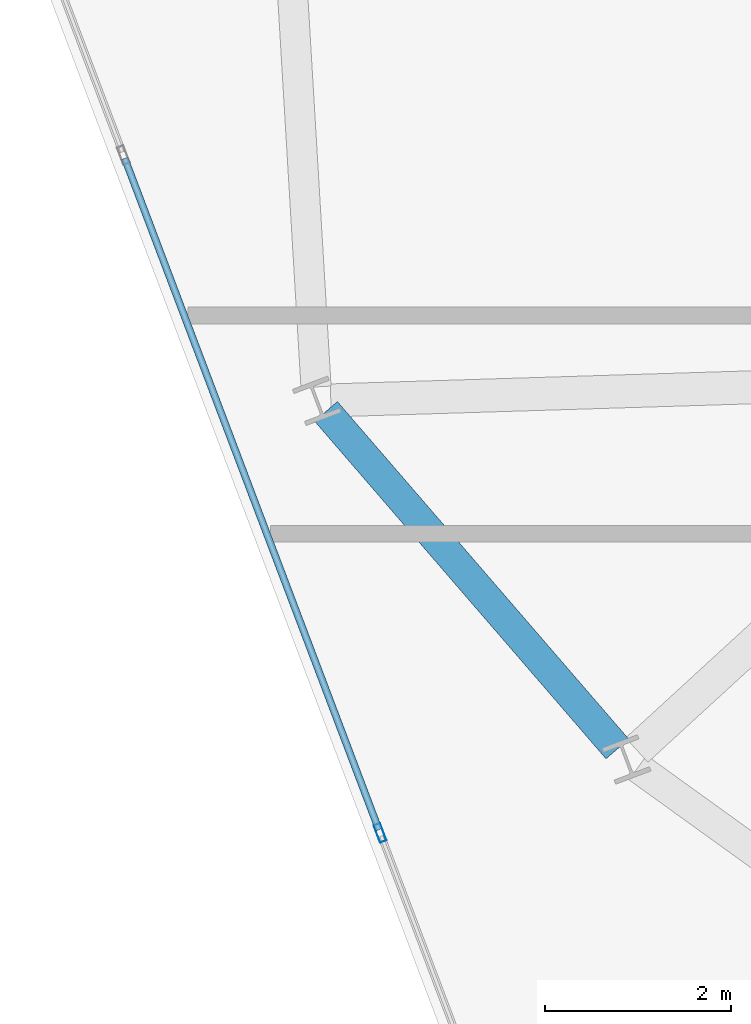
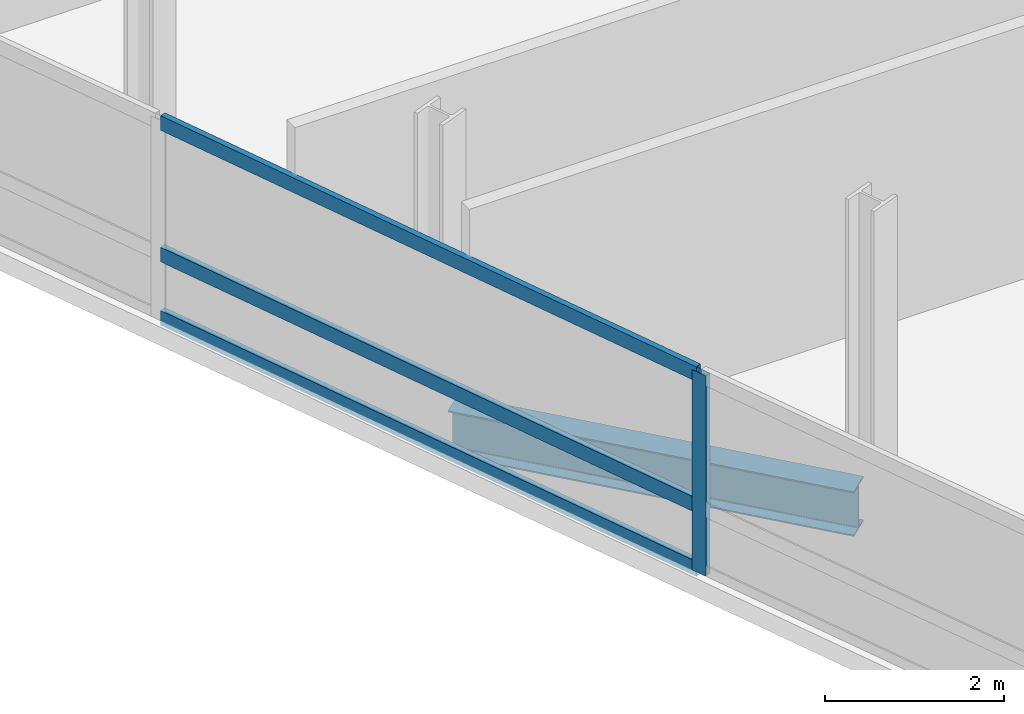
# One storey, part 5 of 20: 4 members, 1 beam, 1 element without a shape of its own.
"""IFC4 building model written with IfcOpenShell, lengths in metres."""

from ifc_helpers import new_model, si_unit, direction, frame, origin, origin_2d, place, context, subcontext, project, spatial, hollow_rectangle, i_section, extrude, material, layer, layer_set, material_profile, profile_set, type_object, element, aggregate, save


model = new_model("IFC4")

# Units and contexts
model_context = context("Model", 3, precision=1e-05, world=origin(), true_north=direction((0.0, 1.0)))
body_context = subcontext(model_context, "Body", "Model", "MODEL_VIEW")
ifc_project = project(units=[si_unit("LENGTHUNIT", "METRE"), si_unit("AREAUNIT", "SQUARE_METRE"), si_unit("VOLUMEUNIT", "CUBIC_METRE"), si_unit("PLANEANGLEUNIT", "RADIAN"), si_unit("MASSUNIT", "GRAM", prefix="KILO")], contexts=[model_context])

# Site, building, storey
site_placement = place(None, origin())
site = spatial("IfcSite", under=ifc_project, at=site_placement, CompositionType="ELEMENT")
building_placement = place(site_placement, origin())
building = spatial("IfcBuilding", under=site, at=building_placement, Name="Varnelok Gate Tower", CompositionType="ELEMENT")
storey_placement = place(building_placement, frame((0.0, 0.0, 216.39990234375)))
storey = spatial("IfcBuildingStorey", under=building, at=storey_placement, Name="L55", CompositionType="ELEMENT", Elevation=216.39990234375)

# Beam
ifc_material_1 = material(Name="Structural Steel ASTM A992 Grade 50", Category="steel")
ifc_material_profile_1 = material_profile(ifc_material_1, i_section(OverallWidth=0.323974609375, OverallDepth=0.611083984375, WebThickness=0.0126953125, FlangeThickness=0.01904296875, FilletRadius=0.01806640625, at=origin_2d()), Name="W24X104")
ifc_profile_set_1 = profile_set([ifc_material_profile_1], Name="Structural Steel ASTM A992 Grade 50")
beam_type = type_object("IfcBeamType", Name="BM-SPN-W24X104", PredefinedType="SPANDREL", material=ifc_profile_set_1)
beam_placement = place(storey_placement, frame((7.79248046875, 18.1669921875, -0.555419921875), z_axis=(0.653484787698, -0.756939649013, 0.0), x_axis=(0.756939649013, 0.653484787698, 0.0)))
element("IfcBeam", 1, at=beam_placement, inside=storey, type_object=beam_type, Name="L55 Perimeter Spandrel Beam 15", PredefinedType="SPANDREL", context=body_context, shape_type="SweptSolid", body=[
    extrude(i_section(OverallWidth=0.323974609375, OverallDepth=0.611083984375, WebThickness=0.0126953125, FlangeThickness=0.01904296875, FilletRadius=0.01806640625, at=origin_2d()), origin(), (0.0, 0.0, 1.0), 4.800048828125),
])

# Curtain wall, members
ifc_material_2 = material(Name="Anodized Aluminum Alloy 6063-T6", Category="aluminium")
ifc_layer = layer(ifc_material_2, 0.179931640625)
ifc_layer_set = layer_set([ifc_layer], Name="Anodized Aluminum Alloy 6063-T6")
curtain_wall_type = type_object("IfcCurtainWallType", Name="CW4-RESIDENCE-VISION", PredefinedType="USERDEFINED", material=ifc_layer_set)
curtain_wall_placement = place(storey_placement, origin())
curtain_wall = element("IfcCurtainWall", 2, at=curtain_wall_placement, inside=storey, type_object=curtain_wall_type, Name="L55 West End Vision Curtain Wall", ObjectType="UNITISED CURTAIN WALL", PredefinedType="USERDEFINED")
ifc_material_profile_2 = material_profile(ifc_material_2, hollow_rectangle(XDim=0.074951171875, YDim=0.199951171875, WallThickness=0.00390625, at=origin_2d()), Name="ALU200X75X4")
ifc_profile_set_2 = profile_set([ifc_material_profile_2], Name="Anodized Aluminum Alloy 6063-T6")
member_type_1 = type_object("IfcMemberType", Name="CW-MULL-200", PredefinedType="MULLION", material=ifc_profile_set_2)
member_1_placement = place(storey_placement, frame((8.375, 13.630126953125, 0.0), z_axis=(0.0, 0.0, 1.0), x_axis=(-0.935221557832, -0.354063042079, 0.0)))
member_1 = element("IfcMember", 3, at=member_1_placement, type_object=member_type_1, Name="CW4 mullion 3", PredefinedType="MULLION", context=body_context, shape_type="SweptSolid", body=[
    extrude(hollow_rectangle(XDim=0.074951171875, YDim=0.199951171875, WallThickness=0.00390625, at=origin_2d()), origin(), (0.0, 0.0, 1.0), 2.72998046875),
])
ifc_material_profile_3 = material_profile(ifc_material_2, hollow_rectangle(XDim=0.074951171875, YDim=0.199951171875, WallThickness=0.00390625, at=origin_2d()), Name="ALU200X75X4")
ifc_profile_set_3 = profile_set([ifc_material_profile_3], Name="Anodized Aluminum Alloy 6063-T6")
member_type_2 = type_object("IfcMemberType", Name="CW-TRAN-200", PredefinedType="USERDEFINED", material=ifc_profile_set_3)
member_2_placement = place(storey_placement, frame((8.36181640625, 13.665283203125, 0.03759765625), z_axis=(-0.354058714128, 0.935223196328, 0.0), x_axis=(-0.935223196328, -0.354058714128, 0.0)))
member_2 = element("IfcMember", 4, at=member_2_placement, type_object=member_type_2, Name="CW4 transom 3.1", ObjectType="TRANSOM", PredefinedType="USERDEFINED", context=body_context, shape_type="SweptSolid", body=[
    extrude(hollow_rectangle(XDim=0.074951171875, YDim=0.199951171875, WallThickness=0.00390625, at=origin_2d()), origin(), (0.0, 0.0, 1.0), 7.72509765625),
])
member_3_placement = place(storey_placement, frame((8.36181640625, 13.665283203125, 0.900146484375), z_axis=(-0.354058714128, 0.935223196328, 0.0), x_axis=(-0.935223196328, -0.354058714128, 0.0)))
member_3 = element("IfcMember", 5, at=member_3_placement, type_object=member_type_2, Name="CW4 transom 3.2", ObjectType="TRANSOM", PredefinedType="USERDEFINED", context=body_context, shape_type="SweptSolid", body=[
    extrude(hollow_rectangle(XDim=0.074951171875, YDim=0.199951171875, WallThickness=0.00390625, at=origin_2d()), origin(), (0.0, 0.0, 1.0), 7.72509765625),
])
member_4_placement = place(storey_placement, frame((8.36181640625, 13.665283203125, 2.692626953125), z_axis=(-0.354058714128, 0.935223196328, 0.0), x_axis=(-0.935223196328, -0.354058714128, 0.0)))
member_4 = element("IfcMember", 6, at=member_4_placement, type_object=member_type_2, Name="CW4 transom 3.3", ObjectType="TRANSOM", PredefinedType="USERDEFINED", context=body_context, shape_type="SweptSolid", body=[
    extrude(hollow_rectangle(XDim=0.074951171875, YDim=0.199951171875, WallThickness=0.00390625, at=origin_2d()), origin(), (0.0, 0.0, 1.0), 7.72509765625),
])
aggregate(curtain_wall, [member_1, member_2, member_3, member_4])

save(model, "model.ifc")
